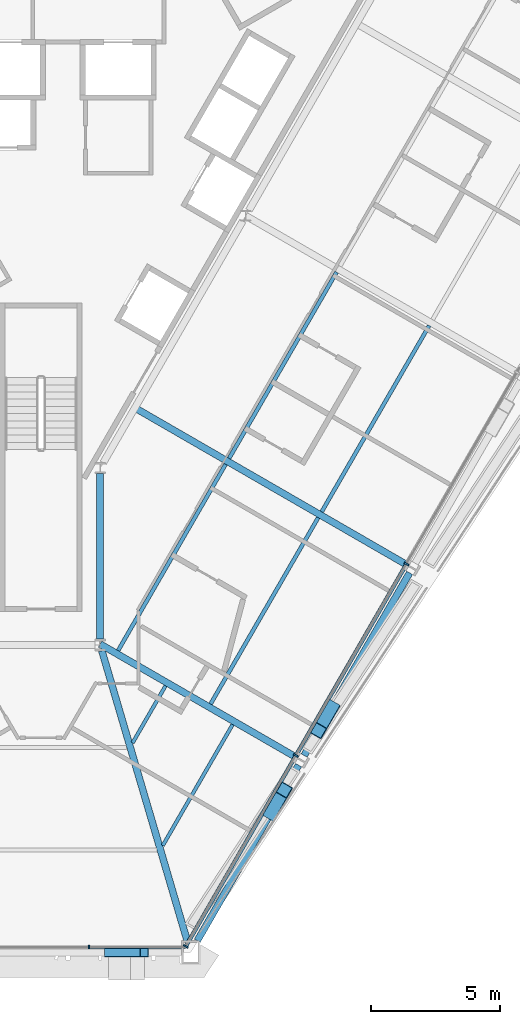
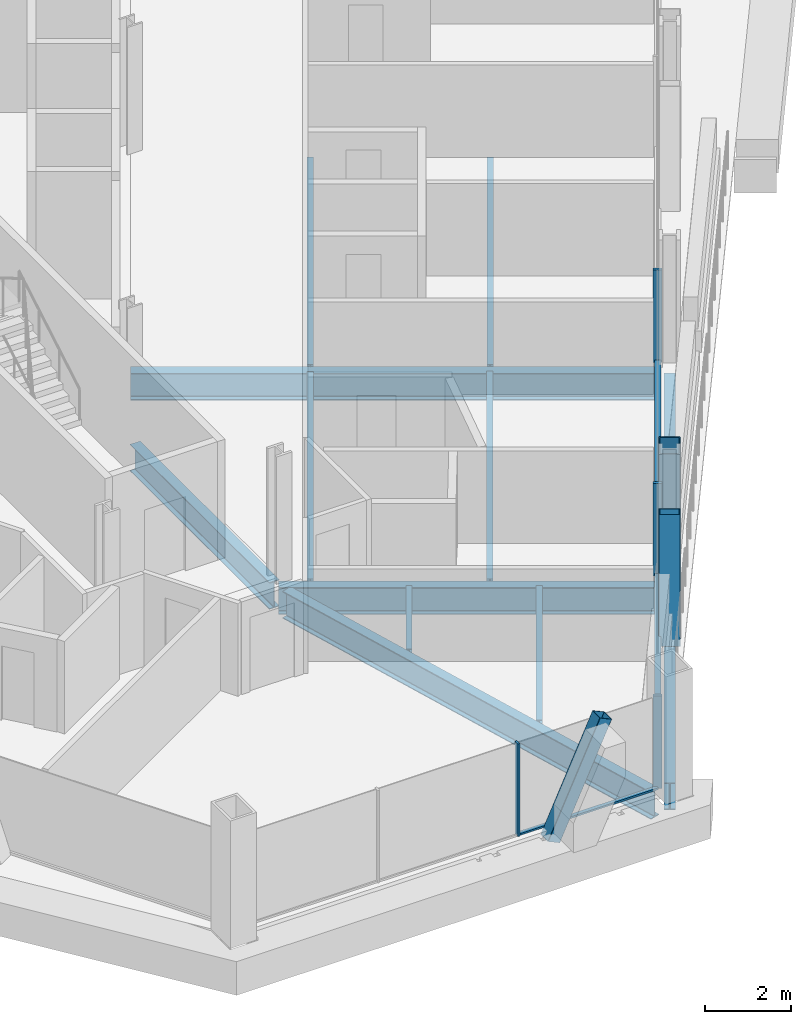
# One storey, part 5 of 18: 12 beams, 10 members, 2 elements without a shape of their own.
"""IFC4 building model written with IfcOpenShell, lengths in metres."""

from ifc_helpers import new_model, si_unit, direction, frame, origin, origin_2d, place, context, subcontext, project, spatial, rectangle, hollow_rectangle, i_section, extrude, material, material_profile, profile_set, type_object, element, aggregate, save


model = new_model("IFC4")

# Units and contexts
model_context = context("Model", 3, precision=1e-05, world=origin(), true_north=direction((0.0, 1.0)))
body_context = subcontext(model_context, "Body", "Model", "MODEL_VIEW")
ifc_project = project(units=[si_unit("LENGTHUNIT", "METRE"), si_unit("AREAUNIT", "SQUARE_METRE"), si_unit("VOLUMEUNIT", "CUBIC_METRE"), si_unit("PLANEANGLEUNIT", "RADIAN"), si_unit("MASSUNIT", "GRAM", prefix="KILO")], contexts=[model_context])

# Site, building, storey
site_placement = place(None, origin())
site = spatial("IfcSite", under=ifc_project, at=site_placement, CompositionType="ELEMENT")
building_placement = place(site_placement, origin())
building = spatial("IfcBuilding", under=site, at=building_placement, Name="Verrane Prism Tower", CompositionType="ELEMENT")
storey_placement = place(building_placement, frame((0.0, 0.0, 80.0)))
storey = spatial("IfcBuildingStorey", under=building, at=storey_placement, Name="L18", CompositionType="ELEMENT", Elevation=80.0)

# Member
ifc_material_1 = material(Name="Steel A500 Grade C", Category="steel")
ifc_material_profile_1 = material_profile(ifc_material_1, hollow_rectangle(XDim=0.355712890625, YDim=0.355712890625, WallThickness=0.0126953125, InnerFilletRadius=0.00634765625, OuterFilletRadius=0.01904296875, at=origin_2d()), Name="HSS14x14x1/2")
ifc_profile_set_1 = profile_set([ifc_material_profile_1], Name="Steel A500 Grade C")
member_type_1 = type_object("IfcMemberType", Name="Chamfer brace HSS14x14x1/2", PredefinedType="BRACE", material=ifc_profile_set_1)
member_1_placement = place(storey_placement, frame((2.632080078125, -33.260009765625, -0.2451171875), z_axis=(0.419338962351, 0.0, 0.907829738803), x_axis=(0.0, 1.0, 0.0)))
element("IfcMember", 1, at=member_1_placement, inside=storey, type_object=member_type_1, Name="Chamfer brace S0 L18", PredefinedType="BRACE", context=body_context, shape_type="SweptSolid", body=[
    extrude(hollow_rectangle(XDim=0.355712890625, YDim=0.355712890625, WallThickness=0.0126953125, InnerFilletRadius=0.00634765625, OuterFilletRadius=0.01904296875, at=origin_2d()), origin(), (0.0, 0.0, 1.0), 3.30810546875),
])

# Beams
ifc_material_2 = material(Name="Steel A992", Category="steel")
ifc_material_profile_2 = material_profile(ifc_material_2, i_section(OverallWidth=0.2666015625, OverallDepth=0.7568359375, WebThickness=0.013916015625, FlangeThickness=0.019287109375, FilletRadius=0.0166015625, at=origin_2d()), Name="W30x108")
ifc_profile_set_2 = profile_set([ifc_material_profile_2], Name="Steel A992")
beam_type_1 = type_object("IfcBeamType", Name="Core ring girder W30x108", PredefinedType="BEAM", material=ifc_profile_set_2)
beam_1_placement = place(storey_placement, frame((2.300048828125, -21.07275390625, -0.62841796875), z_axis=(0.0, 1.0, 0.0), x_axis=(-1.0, 0.0, 0.0)))
element("IfcBeam", 2, at=beam_1_placement, inside=storey, type_object=beam_type_1, Name="Core ring girder L18", PredefinedType="BEAM", context=body_context, shape_type="SweptSolid", body=[
    extrude(i_section(OverallWidth=0.2666015625, OverallDepth=0.7568359375, WebThickness=0.013916015625, FlangeThickness=0.019287109375, FilletRadius=0.0166015625, at=origin_2d()), origin(), (0.0, 0.0, 1.0), 6.4443359375),
])
ifc_material_3 = material(Name="Steel A992", Category="steel")
ifc_material_profile_3 = material_profile(ifc_material_3, i_section(OverallWidth=0.2666015625, OverallDepth=0.76708984375, WebThickness=0.014892578125, FlangeThickness=0.023681640625, FilletRadius=0.0166015625, at=origin_2d()), Name="W30x124")
ifc_profile_set_3 = profile_set([ifc_material_profile_3], Name="Steel A992")
beam_type_2 = type_object("IfcBeamType", Name="Corner girder W30x124", PredefinedType="BEAM", material=ifc_profile_set_3)
beam_2_placement = place(storey_placement, frame((5.6875, -32.809814453125, -0.603515625), z_axis=(-0.282337147907, 0.959315242718, 0.0), x_axis=(-0.959315242718, -0.282337147907, 0.0)))
element("IfcBeam", 3, at=beam_2_placement, inside=storey, type_object=beam_type_2, Name="Corner girder L18", PredefinedType="BEAM", context=body_context, shape_type="SweptSolid", body=[
    extrude(i_section(OverallWidth=0.2666015625, OverallDepth=0.76708984375, WebThickness=0.014892578125, FlangeThickness=0.023681640625, FilletRadius=0.0166015625, at=origin_2d()), origin(), (0.0, 0.0, 1.0), 11.760986328125),
])

# Members
ifc_material_4 = material(Name="Steel A1085 Grade A", Category="steel")
ifc_material_profile_4 = material_profile(ifc_material_4, hollow_rectangle(XDim=0.508056640625, YDim=0.508056640625, WallThickness=0.025390625, InnerFilletRadius=0.0126953125, OuterFilletRadius=0.0380859375, at=origin_2d()), Name="HSS20x20x1")
ifc_profile_set_4 = profile_set([ifc_material_profile_4], Name="Steel A1085 Grade A")
member_type_2 = type_object("IfcMemberType", Name="Facade brace HSS20x20x1", PredefinedType="BRACE", material=ifc_profile_set_4)
member_2_placement = place(storey_placement, frame((8.94921875, -27.836669921875, -0.24267578125), z_axis=(0.161782563758, 0.280489656102, 0.946124703664), x_axis=(-0.866236902684, 0.499633494102, 0.0)))
element("IfcMember", 4, at=member_2_placement, inside=storey, type_object=member_type_2, Name="Facade brace SE0 L18", PredefinedType="BRACE", context=body_context, shape_type="SweptSolid", body=[
    extrude(hollow_rectangle(XDim=0.508056640625, YDim=0.508056640625, WallThickness=0.025390625, InnerFilletRadius=0.0126953125, OuterFilletRadius=0.0380859375, at=origin_2d()), origin(), (0.0, 0.0, 1.0), 3.1796875),
])
member_3_placement = place(storey_placement, frame((11.313720703125, -23.74072265625, -0.24267578125), z_axis=(-0.162217175995, -0.28075163872, 0.945972571044), x_axis=(0.86585823575, -0.500289431813, 0.0)))
element("IfcMember", 5, at=member_3_placement, inside=storey, type_object=member_type_2, Name="Facade brace SE1 L18", PredefinedType="BRACE", context=body_context, shape_type="SweptSolid", body=[
    extrude(hollow_rectangle(XDim=0.508056640625, YDim=0.508056640625, WallThickness=0.025390625, InnerFilletRadius=0.0126953125, OuterFilletRadius=0.0380859375, at=origin_2d()), origin(), (0.0, 0.0, 1.0), 3.18017578125),
])

# Beams
ifc_material_5 = material(Name="Steel A992", Category="steel")
ifc_material_profile_5 = material_profile(ifc_material_5, i_section(OverallWidth=0.140380859375, OverallDepth=0.40380859375, WebThickness=0.007080078125, FlangeThickness=0.01123046875, FilletRadius=0.01025390625, at=origin_2d()), Name="W16x31")
ifc_profile_set_5 = profile_set([ifc_material_profile_5], Name="Steel A992")
beam_type_3 = type_object("IfcBeamType", Name="Floor beam W16x31", PredefinedType="BEAM", material=ifc_profile_set_5)
beam_3_placement = place(storey_placement, frame((4.73681640625, -29.107177734375, -0.36181640625), z_axis=(0.500003687357, 0.866023274877, 0.0), x_axis=(-0.866023274877, 0.500003687357, 0.0)))
element("IfcBeam", 6, at=beam_3_placement, inside=storey, type_object=beam_type_3, Name="Floor beam L18", PredefinedType="BEAM", context=body_context, shape_type="SweptSolid", body=[
    extrude(i_section(OverallWidth=0.140380859375, OverallDepth=0.40380859375, WebThickness=0.007080078125, FlangeThickness=0.01123046875, FilletRadius=0.01025390625, at=origin_2d()), origin(), (0.0, 0.0, 1.0), 5.435546875),
])
beam_4_placement = place(storey_placement, frame((3.5615234375, -25.11376953125, -0.36181640625), z_axis=(0.500019079056, 0.866014388206, 0.0), x_axis=(-0.866014388206, 0.500019079056, 0.0)))
element("IfcBeam", 7, at=beam_4_placement, inside=storey, type_object=beam_type_3, Name="Floor beam L18", PredefinedType="BEAM", context=body_context, shape_type="SweptSolid", body=[
    extrude(i_section(OverallWidth=0.140380859375, OverallDepth=0.40380859375, WebThickness=0.007080078125, FlangeThickness=0.01123046875, FilletRadius=0.01025390625, at=origin_2d()), origin(), (0.0, 0.0, 1.0), 2.56494140625),
])
ifc_material_6 = material(Name="Steel A992", Category="steel")
ifc_material_profile_6 = material_profile(ifc_material_6, i_section(OverallWidth=0.15234375, OverallDepth=0.449462890625, WebThickness=0.007568359375, FlangeThickness=0.0107421875, FilletRadius=0.01025390625, at=origin_2d()), Name="W18x35")
ifc_profile_set_6 = profile_set([ifc_material_profile_6], Name="Steel A992")
beam_type_4 = type_object("IfcBeamType", Name="Floor beam W18x35", PredefinedType="BEAM", material=ifc_profile_set_6)
beam_5_placement = place(storey_placement, frame((6.598388671875, -23.59716796875, -0.384765625), z_axis=(0.50000104701, 0.866024799292, 0.0), x_axis=(-0.866024799292, 0.50000104701, 0.0)))
element("IfcBeam", 8, at=beam_5_placement, inside=storey, type_object=beam_type_4, Name="Floor beam L18", PredefinedType="BEAM", context=body_context, shape_type="SweptSolid", body=[
    extrude(i_section(OverallWidth=0.15234375, OverallDepth=0.449462890625, WebThickness=0.007568359375, FlangeThickness=0.0107421875, FilletRadius=0.01025390625, at=origin_2d()), origin(), (0.0, 0.0, 1.0), 8.36962890625),
])
beam_6_placement = place(storey_placement, frame((2.9990234375, -21.519287109375, -0.384765625), z_axis=(0.499998569178, 0.866026229868, 0.0), x_axis=(-0.866026229868, 0.499998569178, 0.0)))
element("IfcBeam", 9, at=beam_6_placement, inside=storey, type_object=beam_type_4, Name="Floor beam L18", PredefinedType="BEAM", context=body_context, shape_type="SweptSolid", body=[
    extrude(i_section(OverallWidth=0.15234375, OverallDepth=0.449462890625, WebThickness=0.007568359375, FlangeThickness=0.0107421875, FilletRadius=0.01025390625, at=origin_2d()), origin(), (0.0, 0.0, 1.0), 8.3681640625),
])
beam_7_placement = place(storey_placement, frame((10.92041015625, -16.119873046875, -0.384765625), z_axis=(0.499984359078, 0.866034433887, 0.0), x_axis=(-0.866034433887, 0.499984359078, 0.0)))
element("IfcBeam", 10, at=beam_7_placement, inside=storey, type_object=beam_type_4, Name="Floor beam L18", PredefinedType="BEAM", context=body_context, shape_type="SweptSolid", body=[
    extrude(i_section(OverallWidth=0.15234375, OverallDepth=0.449462890625, WebThickness=0.007568359375, FlangeThickness=0.0107421875, FilletRadius=0.01025390625, at=origin_2d()), origin(), (0.0, 0.0, 1.0), 8.364990234375),
])
beam_8_placement = place(storey_placement, frame((7.318603515625, -14.0419921875, -0.384765625), z_axis=(0.499989320658, 0.866031569417, 0.0), x_axis=(-0.866031569417, 0.499989320658, 0.0)))
element("IfcBeam", 11, at=beam_8_placement, inside=storey, type_object=beam_type_4, Name="Floor beam L18", PredefinedType="BEAM", context=body_context, shape_type="SweptSolid", body=[
    extrude(i_section(OverallWidth=0.15234375, OverallDepth=0.449462890625, WebThickness=0.007568359375, FlangeThickness=0.0107421875, FilletRadius=0.01025390625, at=origin_2d()), origin(), (0.0, 0.0, 1.0), 8.367919921875),
])

# Curtain wall, member
ifc_material_7 = material(Name="Aluminium framed insulated glazing", Category="aluminium")
curtain_wall_type_1 = type_object("IfcCurtainWallType", Name="Curtain wall CW-C 4200 module", PredefinedType="NOTDEFINED", material=ifc_material_7)
curtain_wall_1_placement = place(storey_placement, origin())
curtain_wall_1 = element("IfcCurtainWall", 12, at=curtain_wall_1_placement, inside=storey, type_object=curtain_wall_type_1, Name="Glazed curtain wall south corner L18", PredefinedType="NOTDEFINED")
ifc_material_8 = material(Name="Aluminium alloy 6063-T6", Category="aluminium")
ifc_material_profile_7 = material_profile(ifc_material_8, rectangle(XDim=0.139892578125, YDim=0.050048828125, at=origin_2d()), Name="Mullion 50x140 aluminium")
ifc_profile_set_7 = profile_set([ifc_material_profile_7], Name="Aluminium alloy 6063-T6")
member_type_3 = type_object("IfcMemberType", Name="Mullion 50x140 aluminium", PredefinedType="MULLION", material=ifc_profile_set_7)
member_4_placement = place(storey_placement, frame((1.871337890625, -33.058349609375, 0.0), z_axis=(0.0, 0.0, 1.0), x_axis=(0.0, 1.0, 0.0)))
member_4 = element("IfcMember", 13, at=member_4_placement, type_object=member_type_3, Name="CW17.5 mullion 3", PredefinedType="MULLION", context=body_context, shape_type="SweptSolid", body=[
    extrude(rectangle(XDim=0.139892578125, YDim=0.050048828125, at=origin_2d()), origin(), (0.0, 0.0, 1.0), 2.61279296875),
])

# Curtain wall, members
ifc_material_9 = material(Name="Aluminium framed insulated glazing", Category="aluminium")
curtain_wall_type_2 = type_object("IfcCurtainWallType", Name="Curtain wall CW-A 8400 module", PredefinedType="NOTDEFINED", material=ifc_material_9)
curtain_wall_2_placement = place(storey_placement, origin())
curtain_wall_2 = element("IfcCurtainWall", 14, at=curtain_wall_2_placement, inside=storey, type_object=curtain_wall_type_2, Name="Glazed curtain wall south-east face L18", PredefinedType="NOTDEFINED")
ifc_material_10 = material(Name="Aluminium alloy 6063-T6", Category="aluminium")
ifc_material_profile_8 = material_profile(ifc_material_10, rectangle(XDim=0.199951171875, YDim=0.070068359375, at=origin_2d()), Name="Mullion 70x200 aluminium")
ifc_profile_set_8 = profile_set([ifc_material_profile_8], Name="Aluminium alloy 6063-T6")
member_type_4 = type_object("IfcMemberType", Name="Mullion 70x200 aluminium", PredefinedType="MULLION", material=ifc_profile_set_8)
member_5_placement = place(storey_placement, frame((5.63134765625, -33.028076171875, 0.0), z_axis=(0.0, 0.0, 1.0), x_axis=(-0.866025845387, 0.499999235121, 0.0)))
member_5 = element("IfcMember", 15, at=member_5_placement, type_object=member_type_4, Name="CW17.6 mullion 1", PredefinedType="MULLION", context=body_context, shape_type="SweptSolid", body=[
    extrude(rectangle(XDim=0.199951171875, YDim=0.070068359375, at=origin_2d()), origin(), (0.0, 0.0, 1.0), 2.61279296875),
])
member_6_placement = place(storey_placement, frame((9.917724609375, -25.60400390625, 0.0), z_axis=(0.0, 0.0, 1.0), x_axis=(-0.866025845387, 0.499999235121, 0.0)))
member_6 = element("IfcMember", 16, at=member_6_placement, type_object=member_type_4, Name="CW17.6 mullion 2", PredefinedType="MULLION", context=body_context, shape_type="SweptSolid", body=[
    extrude(rectangle(XDim=0.199951171875, YDim=0.070068359375, at=origin_2d()), origin(), (0.0, 0.0, 1.0), 2.61279296875),
])
member_7_placement = place(storey_placement, frame((14.221435546875, -18.14990234375, 0.0), z_axis=(0.0, 0.0, 1.0), x_axis=(-0.866025845387, 0.499999235121, 0.0)))
member_7 = element("IfcMember", 17, at=member_7_placement, type_object=member_type_4, Name="CW17.6 mullion 3", PredefinedType="MULLION", context=body_context, shape_type="SweptSolid", body=[
    extrude(rectangle(XDim=0.199951171875, YDim=0.070068359375, at=origin_2d()), origin(), (0.0, 0.0, 1.0), 2.61279296875),
])

# Beams
ifc_material_11 = material(Name="Steel A992", Category="steel")
ifc_material_profile_9 = material_profile(ifc_material_11, i_section(OverallWidth=0.2666015625, OverallDepth=0.76708984375, WebThickness=0.014892578125, FlangeThickness=0.023681640625, FilletRadius=0.0166015625, at=origin_2d()), Name="W30x124")
ifc_profile_set_9 = profile_set([ifc_material_profile_9], Name="Steel A992")
beam_type_5 = type_object("IfcBeamType", Name="Radial girder W30x124", PredefinedType="BEAM", material=ifc_profile_set_9)
beam_9_placement = place(storey_placement, frame((9.914306640625, -25.66552734375, -0.603515625), z_axis=(-0.866018191792, 0.50001249133, 0.0), x_axis=(-0.50001249133, -0.866018191792, 0.0)))
element("IfcBeam", 18, at=beam_9_placement, inside=storey, type_object=beam_type_5, Name="Radial girder L18", PredefinedType="BEAM", context=body_context, shape_type="SweptSolid", body=[
    extrude(i_section(OverallWidth=0.2666015625, OverallDepth=0.76708984375, WebThickness=0.014892578125, FlangeThickness=0.023681640625, FilletRadius=0.0166015625, at=origin_2d()), origin(), (0.0, 0.0, 1.0), 8.792236328125),
])
beam_10_placement = place(storey_placement, frame((14.234375, -18.185546875, -0.603515625), z_axis=(-0.866019871926, 0.500009581338, 0.0), x_axis=(-0.500009581338, -0.866019871926, 0.0)))
element("IfcBeam", 19, at=beam_10_placement, inside=storey, type_object=beam_type_5, Name="Radial girder L18", PredefinedType="BEAM", context=body_context, shape_type="SweptSolid", body=[
    extrude(i_section(OverallWidth=0.2666015625, OverallDepth=0.76708984375, WebThickness=0.014892578125, FlangeThickness=0.023681640625, FilletRadius=0.0166015625, at=origin_2d()), origin(), (0.0, 0.0, 1.0), 12.218017578125),
])
ifc_material_12 = material(Name="Steel A992", Category="steel")
ifc_material_profile_10 = material_profile(ifc_material_12, i_section(OverallWidth=0.2666015625, OverallDepth=0.7568359375, WebThickness=0.013916015625, FlangeThickness=0.019287109375, FilletRadius=0.0166015625, at=origin_2d()), Name="W30x108")
ifc_profile_set_10 = profile_set([ifc_material_profile_10], Name="Steel A992")
beam_type_6 = type_object("IfcBeamType", Name="Spandrel beam W30x108", PredefinedType="SPANDREL", material=ifc_profile_set_10)
beam_11_placement = place(storey_placement, frame((6.07958984375, -32.81005859375, -0.53857421875), z_axis=(0.499770677184, 0.866157762897, 0.0), x_axis=(-0.866157762897, 0.499770677184, 0.0)))
element("IfcBeam", 20, at=beam_11_placement, inside=storey, type_object=beam_type_6, Name="Spandrel beam L18", PredefinedType="SPANDREL", context=body_context, shape_type="SweptSolid", body=[
    extrude(i_section(OverallWidth=0.2666015625, OverallDepth=0.7568359375, WebThickness=0.013916015625, FlangeThickness=0.019287109375, FilletRadius=0.0166015625, at=origin_2d()), origin(), (0.0, 0.0, 1.0), 7.888916015625),
])
beam_12_placement = place(storey_placement, frame((10.238037109375, -25.60302734375, -0.53857421875), z_axis=(0.500125912756, 0.865952695816, 0.0), x_axis=(-0.865952695816, 0.500125912756, 0.0)))
element("IfcBeam", 21, at=beam_12_placement, inside=storey, type_object=beam_type_6, Name="Spandrel beam L18", PredefinedType="SPANDREL", context=body_context, shape_type="SweptSolid", body=[
    extrude(i_section(OverallWidth=0.2666015625, OverallDepth=0.7568359375, WebThickness=0.013916015625, FlangeThickness=0.019287109375, FilletRadius=0.0166015625, at=origin_2d()), origin(), (0.0, 0.0, 1.0), 8.2060546875),
])

# Member
ifc_material_13 = material(Name="Aluminium alloy 6063-T6", Category="aluminium")
ifc_material_profile_11 = material_profile(ifc_material_13, rectangle(XDim=0.10009765625, YDim=0.050048828125, at=origin_2d()), Name="Transom 50x100 aluminium")
ifc_profile_set_11 = profile_set([ifc_material_profile_11], Name="Aluminium alloy 6063-T6")
member_type_5 = type_object("IfcMemberType", Name="Transom 50x100 aluminium", PredefinedType="USERDEFINED", material=ifc_profile_set_11)
member_8_placement = place(storey_placement, frame((1.896240234375, -33.058349609375, 0.02490234375), z_axis=(1.0, 0.0, 0.0), x_axis=(0.0, 1.0, 0.0)))
member_8 = element("IfcMember", 22, at=member_8_placement, type_object=member_type_5, Name="CW17.5 transom 3", ObjectType="TRANSOM", PredefinedType="USERDEFINED", context=body_context, shape_type="SweptSolid", body=[
    extrude(rectangle(XDim=0.10009765625, YDim=0.050048828125, at=origin_2d()), origin(), (0.0, 0.0, 1.0), 3.7177734375),
])

aggregate(curtain_wall_1, [member_4, member_8])

ifc_material_14 = material(Name="Aluminium alloy 6063-T6", Category="aluminium")
ifc_material_profile_12 = material_profile(ifc_material_14, rectangle(XDim=0.14990234375, YDim=0.070068359375, at=origin_2d()), Name="Transom 70x150 aluminium")
ifc_profile_set_12 = profile_set([ifc_material_profile_12], Name="Aluminium alloy 6063-T6")
member_type_6 = type_object("IfcMemberType", Name="Transom 70x150 aluminium", PredefinedType="USERDEFINED", material=ifc_profile_set_12)
member_9_placement = place(storey_placement, frame((5.64892578125, -32.997802734375, 0.034912109375), z_axis=(0.500002495586, 0.866023962952, 0.0), x_axis=(-0.866023962952, 0.500002495586, 0.0)))
member_9 = element("IfcMember", 23, at=member_9_placement, type_object=member_type_6, Name="CW17.6 transom 1", ObjectType="TRANSOM", PredefinedType="USERDEFINED", context=body_context, shape_type="SweptSolid", body=[
    extrude(rectangle(XDim=0.14990234375, YDim=0.070068359375, at=origin_2d()), origin(), (0.0, 0.0, 1.0), 8.50244140625),
])

member_10_placement = place(storey_placement, frame((9.93505859375, -25.57373046875, 0.034912109375), z_axis=(0.50001124802, 0.866018909639, 0.0), x_axis=(-0.866018909639, 0.50001124802, 0.0)))
member_10 = element("IfcMember", 24, at=member_10_placement, type_object=member_type_6, Name="CW17.6 transom 2", ObjectType="TRANSOM", PredefinedType="USERDEFINED", context=body_context, shape_type="SweptSolid", body=[
    extrude(rectangle(XDim=0.14990234375, YDim=0.070068359375, at=origin_2d()), origin(), (0.0, 0.0, 1.0), 8.537353515625),
])

aggregate(curtain_wall_2, [member_5, member_6, member_7, member_9, member_10])

save(model, "model.ifc")
